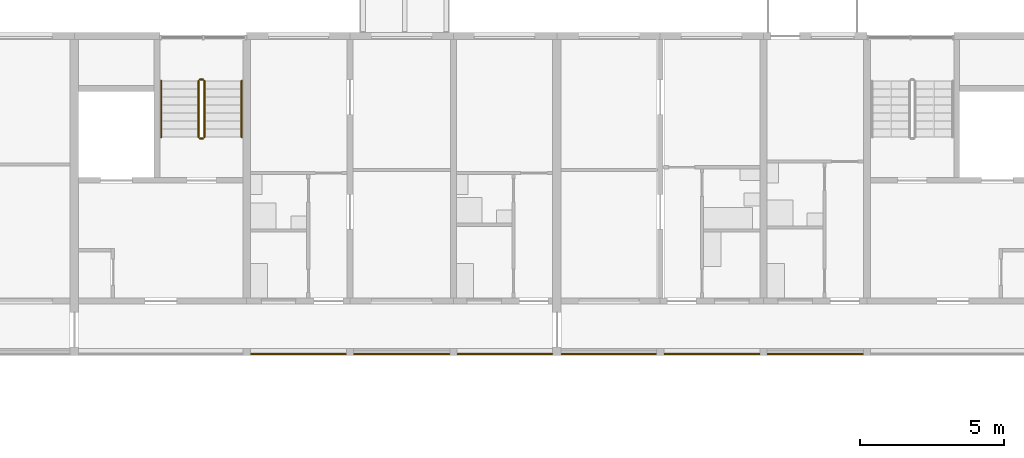
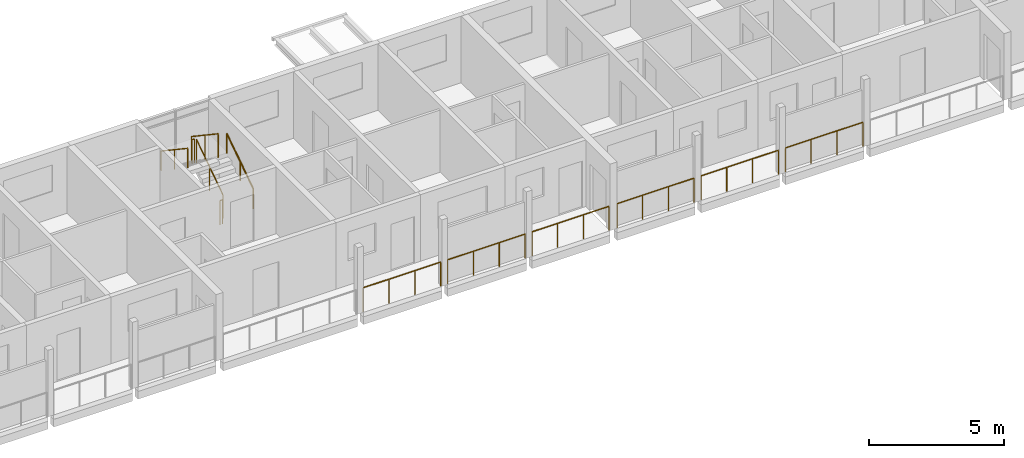
# One storey, part 108 of 122: 12 railings.
"""IFC4 building model written with IfcOpenShell, lengths in metres."""

from ifc_helpers import new_model, si_unit, direction, frame, origin, origin_2d, place, context, subcontext, project, spatial, circle, extrude, material, type_object, element, save


model = new_model("IFC4")

# Units and contexts
model_context = context("Model", 3, precision=1e-05, world=origin(), true_north=direction((0.0, 1.0)))
body_context = subcontext(model_context, "Body", "Model", "MODEL_VIEW")
ifc_project = project(units=[si_unit("LENGTHUNIT", "METRE"), si_unit("AREAUNIT", "SQUARE_METRE"), si_unit("VOLUMEUNIT", "CUBIC_METRE"), si_unit("PLANEANGLEUNIT", "RADIAN"), si_unit("MASSUNIT", "GRAM", prefix="KILO")], contexts=[model_context])

# Site, building, storey
site_placement = place(None, origin())
site = spatial("IfcSite", under=ifc_project, at=site_placement, CompositionType="ELEMENT")
building_placement = place(site_placement, origin())
building = spatial("IfcBuilding", under=site, at=building_placement, Name="Ridgestep Commons", CompositionType="ELEMENT")
storey_placement = place(building_placement, frame((0.0, 0.0, 3.0)))
storey = spatial("IfcBuildingStorey", under=building, at=storey_placement, Name="L01", CompositionType="ELEMENT", Elevation=3.0)

# Railings
ifc_material_1 = material(Name="Structural steel S355JR", Category="steel")
railing_type_1 = type_object("IfcRailingType", Name="Guard 1100", PredefinedType="GUARDRAIL", material=ifc_material_1)
railing_1_placement = place(storey_placement, frame((51.74609375, 66.050048828125, 0.0)))
element("IfcRailing", 1, at=railing_1_placement, inside=storey, type_object=railing_type_1, Name="Gallery guard B 01.10", PredefinedType="GUARDRAIL", context=body_context, shape_type="SweptSolid", body=[
    extrude(circle(Radius=0.02392578125, at=origin_2d()), frame((0.0, 0.0, 1.076171875), z_axis=(1.0, 0.0, 0.0), x_axis=(0.0, 1.0, 0.0)), (0.0, 0.0, 1.0), 3.307861328125),
    extrude(circle(Radius=0.02099609375, at=origin_2d()), origin(), (0.0, 0.0, 1.0), 1.052001953125),
    extrude(circle(Radius=0.02099609375, at=origin_2d()), frame((1.1025390625, 0.0, 0.0)), (0.0, 0.0, 1.0), 1.052001953125),
    extrude(circle(Radius=0.02099609375, at=origin_2d()), frame((2.205322265625, 0.0, 0.0)), (0.0, 0.0, 1.0), 1.052001953125),
    extrude(circle(Radius=0.02099609375, at=origin_2d()), frame((3.307861328125, 0.0, 0.0)), (0.0, 0.0, 1.0), 1.052001953125),
])
railing_2_placement = place(storey_placement, frame((55.345947265625, 66.050048828125, 0.0)))
element("IfcRailing", 2, at=railing_2_placement, inside=storey, type_object=railing_type_1, Name="Gallery guard B 01.11", PredefinedType="GUARDRAIL", context=body_context, shape_type="SweptSolid", body=[
    extrude(circle(Radius=0.02392578125, at=origin_2d()), frame((0.0, 0.0, 1.076171875), z_axis=(1.0, 0.0, 0.0), x_axis=(0.0, 1.0, 0.0)), (0.0, 0.0, 1.0), 3.30810546875),
    extrude(circle(Radius=0.02099609375, at=origin_2d()), origin(), (0.0, 0.0, 1.0), 1.052001953125),
    extrude(circle(Radius=0.02099609375, at=origin_2d()), frame((1.102783203125, 0.0, 0.0)), (0.0, 0.0, 1.0), 1.052001953125),
    extrude(circle(Radius=0.02099609375, at=origin_2d()), frame((2.205322265625, 0.0, 0.0)), (0.0, 0.0, 1.0), 1.052001953125),
    extrude(circle(Radius=0.02099609375, at=origin_2d()), frame((3.30810546875, 0.0, 0.0)), (0.0, 0.0, 1.0), 1.052001953125),
])
for number, where, name in (
    (3, (58.946044921875, 66.050048828125, 0.0), "Gallery guard B 01.12"),
    (4, (62.571044921875, 66.050048828125, 0.0), "Gallery guard B 01.13"),
):
    element("IfcRailing", number, at=place(storey_placement, frame(where)), inside=storey, type_object=railing_type_1, Name=name, PredefinedType="GUARDRAIL", context=body_context, shape_type="SweptSolid", body=[
        extrude(circle(Radius=0.02392578125, at=origin_2d()), frame((0.0, 0.0, 1.076171875), z_axis=(1.0, 0.0, 0.0), x_axis=(0.0, 1.0, 0.0)), (0.0, 0.0, 1.0), 3.282958984375),
        extrude(circle(Radius=0.02099609375, at=origin_2d()), origin(), (0.0, 0.0, 1.0), 1.052001953125),
        extrude(circle(Radius=0.02099609375, at=origin_2d()), frame((1.09423828125, 0.0, 0.0)), (0.0, 0.0, 1.0), 1.052001953125),
        extrude(circle(Radius=0.02099609375, at=origin_2d()), frame((2.188720703125, 0.0, 0.0)), (0.0, 0.0, 1.0), 1.052001953125),
        extrude(circle(Radius=0.02099609375, at=origin_2d()), frame((3.282958984375, 0.0, 0.0)), (0.0, 0.0, 1.0), 1.052001953125),
    ])
railing_3_placement = place(storey_placement, frame((66.14599609375, 66.050048828125, 0.0)))
element("IfcRailing", 5, at=railing_3_placement, inside=storey, type_object=railing_type_1, Name="Gallery guard B 01.14", PredefinedType="GUARDRAIL", context=body_context, shape_type="SweptSolid", body=[
    extrude(circle(Radius=0.02392578125, at=origin_2d()), frame((0.0, 0.0, 1.076171875), z_axis=(1.0, 0.0, 0.0), x_axis=(0.0, 1.0, 0.0)), (0.0, 0.0, 1.0), 3.30810546875),
    extrude(circle(Radius=0.02099609375, at=origin_2d()), origin(), (0.0, 0.0, 1.0), 1.052001953125),
    extrude(circle(Radius=0.02099609375, at=origin_2d()), frame((1.102783203125, 0.0, 0.0)), (0.0, 0.0, 1.0), 1.052001953125),
    extrude(circle(Radius=0.02099609375, at=origin_2d()), frame((2.205322265625, 0.0, 0.0)), (0.0, 0.0, 1.0), 1.052001953125),
    extrude(circle(Radius=0.02099609375, at=origin_2d()), frame((3.30810546875, 0.0, 0.0)), (0.0, 0.0, 1.0), 1.052001953125),
])
railing_4_placement = place(storey_placement, frame((69.74609375, 66.050048828125, 0.0)))
element("IfcRailing", 6, at=railing_4_placement, inside=storey, type_object=railing_type_1, Name="Gallery guard B 01.15", PredefinedType="GUARDRAIL", context=body_context, shape_type="SweptSolid", body=[
    extrude(circle(Radius=0.02392578125, at=origin_2d()), frame((0.0, 0.0, 1.076171875), z_axis=(1.0, 0.0, 0.0), x_axis=(0.0, 1.0, 0.0)), (0.0, 0.0, 1.0), 3.307861328125),
    extrude(circle(Radius=0.02099609375, at=origin_2d()), origin(), (0.0, 0.0, 1.0), 1.052001953125),
    extrude(circle(Radius=0.02099609375, at=origin_2d()), frame((1.1025390625, 0.0, 0.0)), (0.0, 0.0, 1.0), 1.052001953125),
    extrude(circle(Radius=0.02099609375, at=origin_2d()), frame((2.205322265625, 0.0, 0.0)), (0.0, 0.0, 1.0), 1.052001953125),
    extrude(circle(Radius=0.02099609375, at=origin_2d()), frame((3.307861328125, 0.0, 0.0)), (0.0, 0.0, 1.0), 1.052001953125),
])
ifc_material_2 = material(Name="Structural steel S355JR", Category="steel")
railing_type_2 = type_object("IfcRailingType", Name="Stair guard 1100", PredefinedType="GUARDRAIL", material=ifc_material_2)
railing_5_placement = place(storey_placement, frame((50.125, 73.60009765625, 0.1875)))
element("IfcRailing", 7, at=railing_5_placement, inside=storey, type_object=railing_type_2, Name="L01 B3C stair guard 1", PredefinedType="GUARDRAIL", context=body_context, shape_type="SweptSolid", body=[
    extrude(circle(Radius=0.02392578125, at=origin_2d()), frame((0.0, 0.0, 1.076171875), z_axis=(0.0, 0.830902050051, 0.556418712142), x_axis=(-1.0, 0.0, 0.0)), (0.0, 0.0, 1.0), 2.35888671875),
    extrude(circle(Radius=0.02099609375, at=origin_2d()), origin(), (0.0, 0.0, 1.0), 1.052001953125),
    extrude(circle(Radius=0.02099609375, at=origin_2d()), frame((0.0, 0.97998046875, 0.65625)), (0.0, 0.0, 1.0), 1.052001953125),
    extrude(circle(Radius=0.02099609375, at=origin_2d()), frame((0.0, 1.9599609375, 1.3125)), (0.0, 0.0, 1.0), 1.052001953125),
])
railing_6_placement = place(storey_placement, frame((50.074951171875, 75.610107421875, 1.5)))
element("IfcRailing", 8, at=railing_6_placement, inside=storey, type_object=railing_type_2, Name="L01 B3C stair guard 2", PredefinedType="GUARDRAIL", context=body_context, shape_type="SweptSolid", body=[
    extrude(circle(Radius=0.02392578125, at=origin_2d()), frame((0.0, 0.0, 1.076171875), z_axis=(-1.0, 0.0, 0.0), x_axis=(0.0, -1.0, 0.0)), (0.0, 0.0, 1.0), 0.099853515625),
    extrude(circle(Radius=0.02099609375, at=origin_2d()), origin(), (0.0, 0.0, 1.0), 1.052001953125),
    extrude(circle(Radius=0.02099609375, at=origin_2d()), frame((-0.099853515625, 0.0, 0.0)), (0.0, 0.0, 1.0), 1.052001953125),
])
railing_7_placement = place(storey_placement, frame((49.925048828125, 75.56005859375, 1.6875)))
element("IfcRailing", 9, at=railing_7_placement, inside=storey, type_object=railing_type_2, Name="L01 B3C stair guard 3", PredefinedType="GUARDRAIL", context=body_context, shape_type="SweptSolid", body=[
    extrude(circle(Radius=0.02392578125, at=origin_2d()), frame((0.0, 0.0, 1.076171875), z_axis=(0.0, -0.830902050051, 0.556418712142), x_axis=(1.0, 0.0, 0.0)), (0.0, 0.0, 1.0), 2.35888671875),
    extrude(circle(Radius=0.02099609375, at=origin_2d()), origin(), (0.0, 0.0, 1.0), 1.052001953125),
    extrude(circle(Radius=0.02099609375, at=origin_2d()), frame((0.0, -0.97998046875, 0.65625)), (0.0, 0.0, 1.0), 1.052001953125),
    extrude(circle(Radius=0.02099609375, at=origin_2d()), frame((0.0, -1.9599609375, 1.3125)), (0.0, 0.0, 1.0), 1.052001953125),
])
railing_8_placement = place(storey_placement, frame((50.074951171875, 73.550048828125, 0.0)))
element("IfcRailing", 10, at=railing_8_placement, inside=storey, type_object=railing_type_2, Name="L01 B3C stair guard 4", PredefinedType="GUARDRAIL", context=body_context, shape_type="SweptSolid", body=[
    extrude(circle(Radius=0.02392578125, at=origin_2d()), frame((0.0, 0.0, 1.076171875), z_axis=(-1.0, 0.0, 0.0), x_axis=(0.0, -1.0, 0.0)), (0.0, 0.0, 1.0), 0.099853515625),
    extrude(circle(Radius=0.02099609375, at=origin_2d()), origin(), (0.0, 0.0, 1.0), 1.052001953125),
    extrude(circle(Radius=0.02099609375, at=origin_2d()), frame((-0.099853515625, 0.0, 0.0)), (0.0, 0.0, 1.0), 1.052001953125),
])
ifc_material_3 = material(Name="Structural steel S355JR", Category="steel")
railing_type_3 = type_object("IfcRailingType", Name="Stair handrail 900", PredefinedType="HANDRAIL", material=ifc_material_3)
railing_9_placement = place(storey_placement, frame((51.425048828125, 73.60009765625, 0.1875)))
element("IfcRailing", 11, at=railing_9_placement, inside=storey, type_object=railing_type_3, Name="L01 B3C stair handrail 1", PredefinedType="HANDRAIL", context=body_context, shape_type="SweptSolid", body=[
    extrude(circle(Radius=0.02392578125, at=origin_2d()), frame((0.0, 0.0, 0.8759765625), z_axis=(0.0, 0.830902050051, 0.556418712142), x_axis=(-1.0, 0.0, 0.0)), (0.0, 0.0, 1.0), 2.35888671875),
    extrude(circle(Radius=0.02099609375, at=origin_2d()), origin(), (0.0, 0.0, 1.0), 0.851806640625),
    extrude(circle(Radius=0.02099609375, at=origin_2d()), frame((0.0, 0.97998046875, 0.65625)), (0.0, 0.0, 1.0), 0.851806640625),
    extrude(circle(Radius=0.02099609375, at=origin_2d()), frame((0.0, 1.9599609375, 1.3125)), (0.0, 0.0, 1.0), 0.851806640625),
])
railing_10_placement = place(storey_placement, frame((48.625, 75.56005859375, 1.6875)))
element("IfcRailing", 12, at=railing_10_placement, inside=storey, type_object=railing_type_3, Name="L01 B3C stair handrail 2", PredefinedType="HANDRAIL", context=body_context, shape_type="SweptSolid", body=[
    extrude(circle(Radius=0.02392578125, at=origin_2d()), frame((0.0, 0.0, 0.8759765625), z_axis=(0.0, -0.830902050051, 0.556418712142), x_axis=(1.0, 0.0, 0.0)), (0.0, 0.0, 1.0), 2.35888671875),
    extrude(circle(Radius=0.02099609375, at=origin_2d()), origin(), (0.0, 0.0, 1.0), 0.851806640625),
    extrude(circle(Radius=0.02099609375, at=origin_2d()), frame((0.0, -0.97998046875, 0.65625)), (0.0, 0.0, 1.0), 0.851806640625),
    extrude(circle(Radius=0.02099609375, at=origin_2d()), frame((0.0, -1.9599609375, 1.3125)), (0.0, 0.0, 1.0), 0.851806640625),
])

save(model, "model.ifc")
